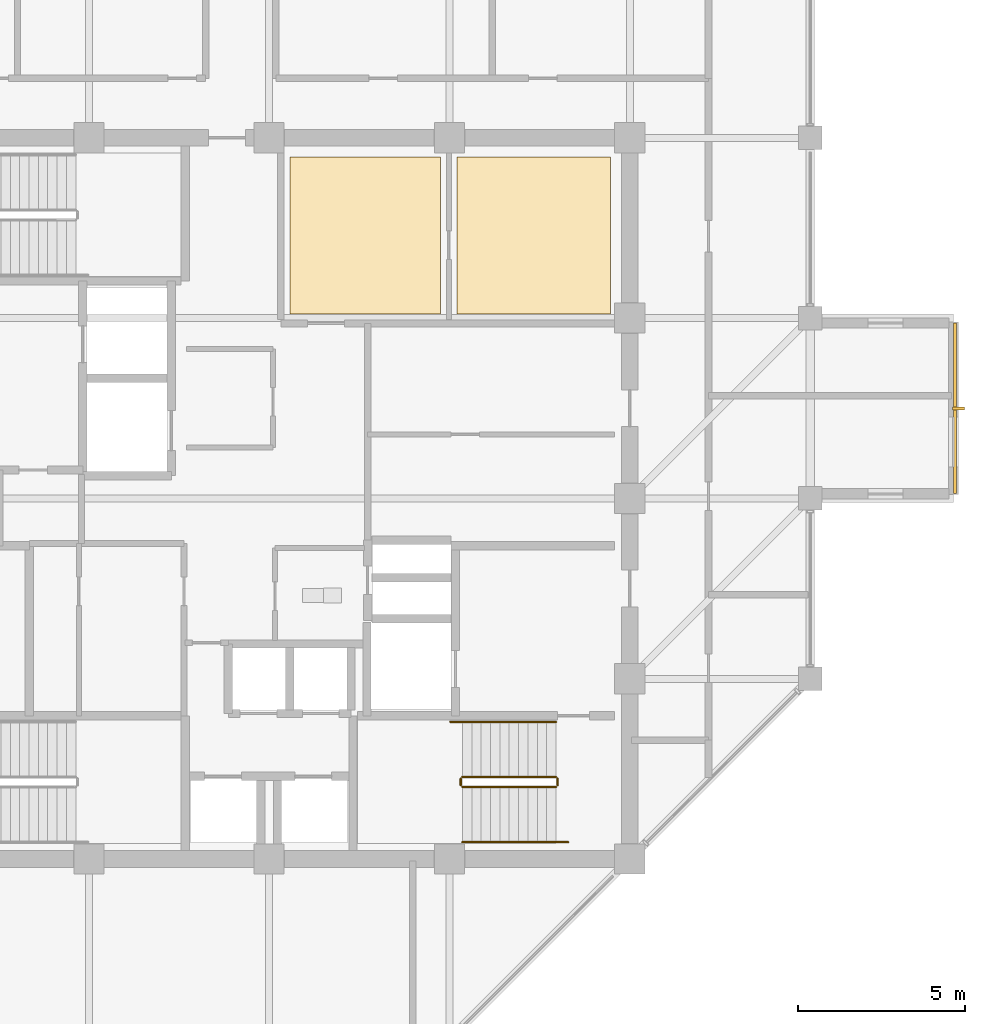
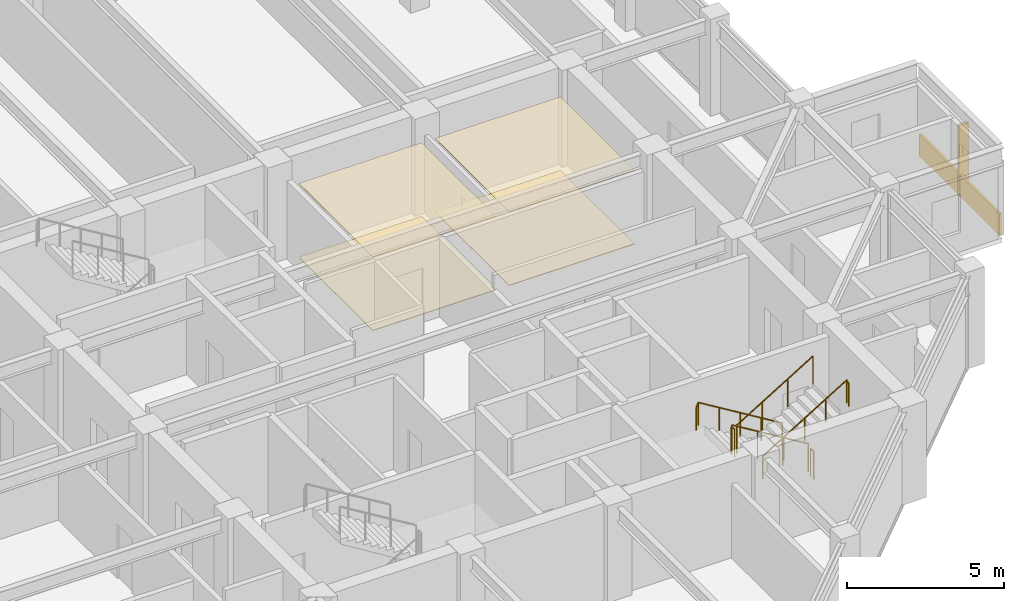
# One storey, part 29 of 30: 6 railings, 5 coverings, 1 shading device.
"""IFC4 building model written with IfcOpenShell, lengths in metres."""

from ifc_helpers import new_model, si_unit, direction, frame, origin, origin_2d, place, context, subcontext, project, spatial, polyline, rectangle, circle, outline, extrude, material, layer, layer_set, type_object, element, save


model = new_model("IFC4")

# Units and contexts
model_context = context("Model", 3, precision=1e-05, world=origin(), true_north=direction((0.0, 1.0)))
body_context = subcontext(model_context, "Body", "Model", "MODEL_VIEW")
ifc_project = project(units=[si_unit("LENGTHUNIT", "METRE"), si_unit("AREAUNIT", "SQUARE_METRE"), si_unit("VOLUMEUNIT", "CUBIC_METRE"), si_unit("PLANEANGLEUNIT", "RADIAN"), si_unit("MASSUNIT", "GRAM", prefix="KILO")], contexts=[model_context])

# Site, building, storey
site_placement = place(None, origin())
site = spatial("IfcSite", under=ifc_project, at=site_placement, CompositionType="ELEMENT")
building_placement = place(site_placement, origin())
building = spatial("IfcBuilding", under=site, at=building_placement, Name="Surkhivell Harbour Commons", CompositionType="ELEMENT")
storey_placement = place(building_placement, frame((0.0, 0.0, 303.75)))
storey = spatial("IfcBuildingStorey", under=building, at=storey_placement, Name="L79", CompositionType="ELEMENT", Elevation=303.75)

# Coverings
ifc_material_1 = material(Name="Perforated acoustic mineral-fibre ceiling tile", Category="other")
ifc_layer_1 = layer(ifc_material_1, 0.02490234375)
ifc_layer_set_1 = layer_set([ifc_layer_1], Name="Perforated acoustic mineral-fibre ceiling tile")
covering_type_1 = type_object("IfcCoveringType", Name="COV-CEIL-AC", PredefinedType="CEILING", material=ifc_layer_set_1)
covering_1_placement = place(storey_placement, frame((0.0, 0.0, 2.85205078125)))
element("IfcCovering", 1, at=covering_1_placement, inside=storey, type_object=covering_type_1, Name="L79 Suspended Acoustic Ceiling 1", PredefinedType="CEILING", context=body_context, shape_type="SweptSolid", body=[
    extrude(outline(polyline([(0.6201171875, 5.52001953125), (5.1298828125, 5.52001953125), (5.1298828125, 10.219970703125), (0.6201171875, 10.219970703125), (0.6201171875, 5.52001953125)])), origin(), (0.0, 0.0, 1.0), 0.02490234375),
])
ifc_material_2 = material(Name="Moisture-resistant gypsum acoustic ceiling board", Category="other")
ifc_layer_2 = layer(ifc_material_2, 0.030029296875)
ifc_layer_set_2 = layer_set([ifc_layer_2], Name="Moisture-resistant gypsum acoustic ceiling board")
covering_type_2 = type_object("IfcCoveringType", Name="COV-CEIL-GYP", PredefinedType="CEILING", material=ifc_layer_set_2)
covering_2_placement = place(storey_placement, frame((0.0, 0.0, 2.846923828125)))
element("IfcCovering", 2, at=covering_2_placement, inside=storey, type_object=covering_type_2, Name="L79 Suspended Acoustic Ceiling 2", PredefinedType="CEILING", context=body_context, shape_type="SweptSolid", body=[
    extrude(outline(polyline([(5.6201171875, 5.52001953125), (10.219970703125, 5.52001953125), (10.219970703125, 10.219970703125), (5.6201171875, 10.219970703125), (5.6201171875, 5.52001953125)])), origin(), (0.0, 0.0, 1.0), 0.030029296875),
])
ifc_material_3 = material(Name="Saffron-gold enamelled aluminium cassette panel", Category="aluminium")
ifc_layer_3 = layer(ifc_material_3, 0.070068359375)
ifc_layer_set_3 = layer_set([ifc_layer_3], Name="Saffron-gold enamelled aluminium cassette panel")
covering_type_3 = type_object("IfcCoveringType", Name="COV-CLAD-SAF", PredefinedType="CLADDING", material=ifc_layer_set_3)
covering_3_placement = place(storey_placement, frame((20.5400390625, 2.699951171875, 0.0), z_axis=(0.0, 0.0, 1.0), x_axis=(1.0, 0.0, 0.0)))
element("IfcCovering", 3, at=covering_3_placement, inside=storey, type_object=covering_type_3, Name="L79 Coloured-Panel Box Spandrel Cassette 01", PredefinedType="CLADDING", context=body_context, shape_type="SweptSolid", body=[
    extrude(rectangle(XDim=0.080078125, YDim=5.10009765625, at=origin_2d()), origin(), (0.0, 0.0, 1.0), 0.840087890625),
])
ifc_material_4 = material(Name="Engineered acoustic oak timber flooring", Category="wood")
ifc_layer_4 = layer(ifc_material_4, 0.02001953125)
ifc_layer_set_4 = layer_set([ifc_layer_4], Name="Engineered acoustic oak timber flooring")
covering_type_4 = type_object("IfcCoveringType", Name="COV-FLR-TIM", PredefinedType="FLOORING", material=ifc_layer_set_4)
covering_4_placement = place(storey_placement, origin())
element("IfcCovering", 4, at=covering_4_placement, inside=storey, type_object=covering_type_4, Name="L79 Interior Floor Finish 1", PredefinedType="FLOORING", context=body_context, shape_type="SweptSolid", body=[
    extrude(outline(polyline([(0.6201171875, 5.52001953125), (5.1298828125, 5.52001953125), (5.1298828125, 10.219970703125), (0.6201171875, 10.219970703125), (0.6201171875, 5.52001953125)])), origin(), (0.0, 0.0, 1.0), 0.02001953125),
])
covering_5_placement = place(storey_placement, origin())
element("IfcCovering", 5, at=covering_5_placement, inside=storey, type_object=covering_type_4, Name="L79 Interior Floor Finish 2", PredefinedType="FLOORING", context=body_context, shape_type="SweptSolid", body=[
    extrude(outline(polyline([(5.6201171875, 5.52001953125), (10.219970703125, 5.52001953125), (10.219970703125, 10.219970703125), (5.6201171875, 10.219970703125), (5.6201171875, 5.52001953125)])), origin(), (0.0, 0.0, 1.0), 0.02001953125),
])

# Railings
ifc_material_5 = material(Name="Galvanised and painted steel S355 guard rail", Category="steel")
railing_type_1 = type_object("IfcRailingType", Name="RAL-ST-GRD1100", PredefinedType="GUARDRAIL", material=ifc_material_5)
railing_1_placement = place(storey_placement, frame((8.590087890625, -8.340087890625, 0.17041015625)))
element("IfcRailing", 6, at=railing_1_placement, inside=storey, type_object=railing_type_1, Name="L79 ST2 stair guard 1", PredefinedType="GUARDRAIL", context=body_context, shape_type="SweptSolid", body=[
    extrude(circle(Radius=0.02392578125, at=origin_2d()), frame((0.0, 0.0, 1.076171875), z_axis=(-0.854169791009, 0.0, 0.51999420009), x_axis=(0.0, -1.0, 0.0)), (0.0, 0.0, 1.0), 3.278076171875),
    extrude(circle(Radius=0.02099609375, at=origin_2d()), origin(), (0.0, 0.0, 1.0), 1.052001953125),
    extrude(circle(Radius=0.02099609375, at=origin_2d()), frame((-0.933349609375, 0.0, 0.568115234375)), (0.0, 0.0, 1.0), 1.052001953125),
    extrude(circle(Radius=0.02099609375, at=origin_2d()), frame((-1.86669921875, 0.0, 1.136474609375)), (0.0, 0.0, 1.0), 1.052001953125),
    extrude(circle(Radius=0.02099609375, at=origin_2d()), frame((-2.800048828125, 0.0, 1.70458984375)), (0.0, 0.0, 1.0), 1.052001953125),
])
railing_2_placement = place(storey_placement, frame((5.739990234375, -8.389892578125, 1.875)))
element("IfcRailing", 7, at=railing_2_placement, inside=storey, type_object=railing_type_1, Name="L79 ST2 stair guard 2", PredefinedType="GUARDRAIL", context=body_context, shape_type="SweptSolid", body=[
    extrude(circle(Radius=0.02392578125, at=origin_2d()), frame((0.0, 0.0, 1.076171875), z_axis=(0.0, -1.0, 0.0), x_axis=(1.0, 0.0, 0.0)), (0.0, 0.0, 1.0), 0.2001953125),
    extrude(circle(Radius=0.02099609375, at=origin_2d()), origin(), (0.0, 0.0, 1.0), 1.052001953125),
    extrude(circle(Radius=0.02099609375, at=origin_2d()), frame((0.0, -0.2001953125, 0.0)), (0.0, 0.0, 1.0), 1.052001953125),
])
railing_3_placement = place(storey_placement, frame((5.7900390625, -8.639892578125, 2.04541015625)))
element("IfcRailing", 8, at=railing_3_placement, inside=storey, type_object=railing_type_1, Name="L79 ST2 stair guard 3", PredefinedType="GUARDRAIL", context=body_context, shape_type="SweptSolid", body=[
    extrude(circle(Radius=0.02392578125, at=origin_2d()), frame((0.0, 0.0, 1.076171875), z_axis=(0.854169791009, 0.0, 0.51999420009), x_axis=(0.0, 1.0, 0.0)), (0.0, 0.0, 1.0), 3.278076171875),
    extrude(circle(Radius=0.02099609375, at=origin_2d()), origin(), (0.0, 0.0, 1.0), 1.052001953125),
    extrude(circle(Radius=0.02099609375, at=origin_2d()), frame((0.933349609375, 0.0, 0.568115234375)), (0.0, 0.0, 1.0), 1.052001953125),
    extrude(circle(Radius=0.02099609375, at=origin_2d()), frame((1.86669921875, 0.0, 1.136474609375)), (0.0, 0.0, 1.0), 1.052001953125),
    extrude(circle(Radius=0.02099609375, at=origin_2d()), frame((2.800048828125, 0.0, 1.70458984375)), (0.0, 0.0, 1.0), 1.052001953125),
])
railing_4_placement = place(storey_placement, frame((8.639892578125, -8.389892578125, 0.0)))
element("IfcRailing", 9, at=railing_4_placement, inside=storey, type_object=railing_type_1, Name="L79 ST2 stair guard 4", PredefinedType="GUARDRAIL", context=body_context, shape_type="SweptSolid", body=[
    extrude(circle(Radius=0.02392578125, at=origin_2d()), frame((0.0, 0.0, 1.076171875), z_axis=(0.0, -1.0, 0.0), x_axis=(1.0, 0.0, 0.0)), (0.0, 0.0, 1.0), 0.2001953125),
    extrude(circle(Radius=0.02099609375, at=origin_2d()), origin(), (0.0, 0.0, 1.0), 1.052001953125),
    extrude(circle(Radius=0.02099609375, at=origin_2d()), frame((0.0, -0.2001953125, 0.0)), (0.0, 0.0, 1.0), 1.052001953125),
])
ifc_material_6 = material(Name="Brushed stainless steel S355 handrail", Category="steel")
railing_type_2 = type_object("IfcRailingType", Name="RAL-ST-HND900", PredefinedType="HANDRAIL", material=ifc_material_6)
railing_5_placement = place(storey_placement, frame((8.590087890625, -6.68994140625, 0.17041015625)))
element("IfcRailing", 10, at=railing_5_placement, inside=storey, type_object=railing_type_2, Name="L79 ST2 stair handrail 1", PredefinedType="HANDRAIL", context=body_context, shape_type="SweptSolid", body=[
    extrude(circle(Radius=0.02392578125, at=origin_2d()), frame((0.0, 0.0, 0.8759765625), z_axis=(-0.854177636135, 0.0, 0.519981313056), x_axis=(0.0, -1.0, 0.0)), (0.0, 0.0, 1.0), 3.60595703125),
    extrude(circle(Radius=0.02392578125, at=origin_2d()), frame((-3.080078125, 0.0, 2.7509765625), z_axis=(-0.425297416671, 0.0, -0.905053648892), x_axis=(0.0, -1.0, 0.0)), (0.0, 0.0, 1.0), 0.188232421875),
    extrude(circle(Radius=0.02099609375, at=origin_2d()), origin(), (0.0, 0.0, 1.0), 0.851806640625),
    extrude(circle(Radius=0.02099609375, at=origin_2d()), frame((-0.77001953125, 0.0, 0.46875)), (0.0, 0.0, 1.0), 0.851806640625),
    extrude(circle(Radius=0.02099609375, at=origin_2d()), frame((-1.5400390625, 0.0, 0.9375)), (0.0, 0.0, 1.0), 0.851806640625),
    extrude(circle(Radius=0.02099609375, at=origin_2d()), frame((-2.31005859375, 0.0, 1.40625)), (0.0, 0.0, 1.0), 0.851806640625),
    extrude(circle(Radius=0.02099609375, at=origin_2d()), frame((-3.080078125, 0.0, 1.875)), (0.0, 0.0, 1.0), 0.851806640625),
    extrude(circle(Radius=0.02099609375, at=origin_2d()), frame((-3.16015625, 0.0, 1.70458984375)), (0.0, 0.0, 1.0), 0.851806640625),
])
railing_6_placement = place(storey_placement, frame((5.7900390625, -10.2900390625, 2.04541015625)))
element("IfcRailing", 11, at=railing_6_placement, inside=storey, type_object=railing_type_2, Name="L79 ST2 stair handrail 2", PredefinedType="HANDRAIL", context=body_context, shape_type="SweptSolid", body=[
    extrude(circle(Radius=0.02392578125, at=origin_2d()), frame((0.0, 0.0, 0.8759765625), z_axis=(0.854177636135, 0.0, 0.519981313056), x_axis=(0.0, 1.0, 0.0)), (0.0, 0.0, 1.0), 3.60595703125),
    extrude(circle(Radius=0.02392578125, at=origin_2d()), frame((3.080078125, 0.0, 2.7509765625), z_axis=(0.424234432967, 0.0, -0.905552398199), x_axis=(0.0, 1.0, 0.0)), (0.0, 0.0, 1.0), 0.188232421875),
    extrude(circle(Radius=0.02099609375, at=origin_2d()), origin(), (0.0, 0.0, 1.0), 0.851806640625),
    extrude(circle(Radius=0.02099609375, at=origin_2d()), frame((0.77001953125, 0.0, 0.46875)), (0.0, 0.0, 1.0), 0.851806640625),
    extrude(circle(Radius=0.02099609375, at=origin_2d()), frame((1.5400390625, 0.0, 0.9375)), (0.0, 0.0, 1.0), 0.851806640625),
    extrude(circle(Radius=0.02099609375, at=origin_2d()), frame((2.31005859375, 0.0, 1.40625)), (0.0, 0.0, 1.0), 0.851806640625),
    extrude(circle(Radius=0.02099609375, at=origin_2d()), frame((3.080078125, 0.0, 1.875)), (0.0, 0.0, 1.0), 0.851806640625),
    extrude(circle(Radius=0.02099609375, at=origin_2d()), frame((3.159912109375, 0.0, 1.70458984375)), (0.0, 0.0, 1.0), 0.851806640625),
])

# Shading device
ifc_material_7 = material(Name="Anodised pale-metal aluminium solar fin", Category="aluminium")
shading_device_type = type_object("IfcShadingDeviceType", Name="SHD-FIN-VERT", PredefinedType="USERDEFINED", material=ifc_material_7)
shading_device_placement = place(storey_placement, frame((20.639892578125, 2.699951171875, 0.0048828125), z_axis=(0.0, 0.0, 1.0), x_axis=(1.0, 0.0, 0.0)))
element("IfcShadingDevice", 12, at=shading_device_placement, inside=storey, type_object=shading_device_type, Name="L79 Coloured-Box Solar Fin 01", ObjectType="FIN", PredefinedType="USERDEFINED", context=body_context, shape_type="SweptSolid", body=[
    extrude(rectangle(XDim=0.360107421875, YDim=0.090087890625, at=origin_2d()), origin(), (0.0, 0.0, 1.0), 2.75),
])

save(model, "model.ifc")
